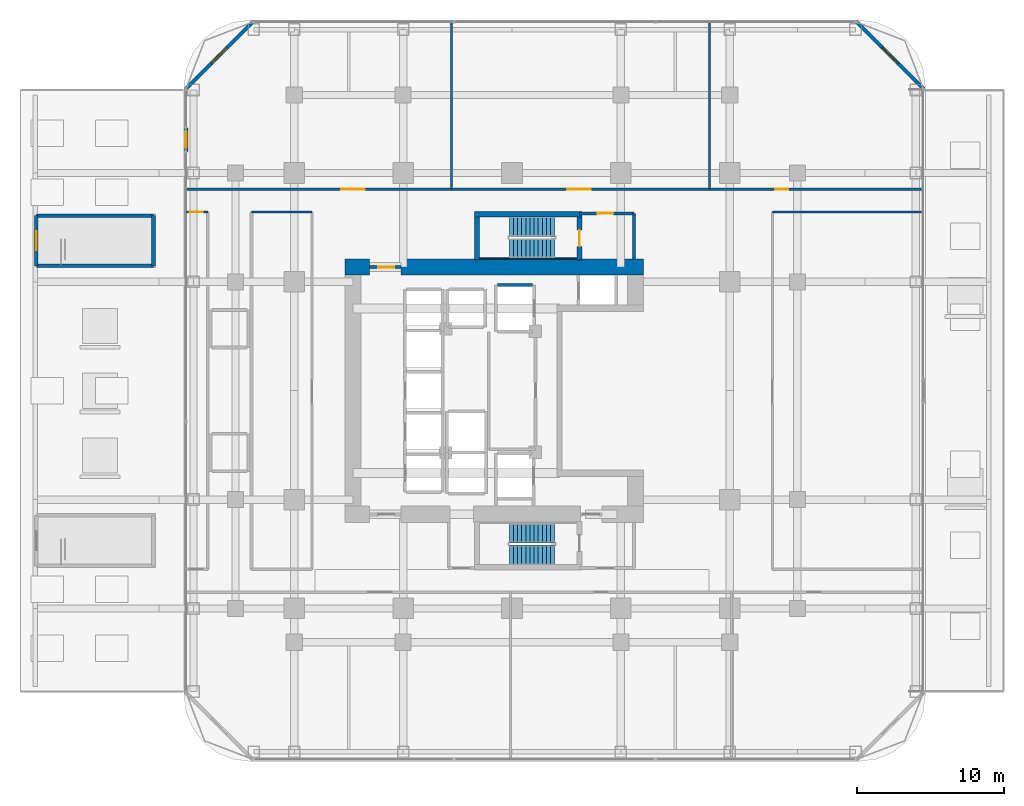
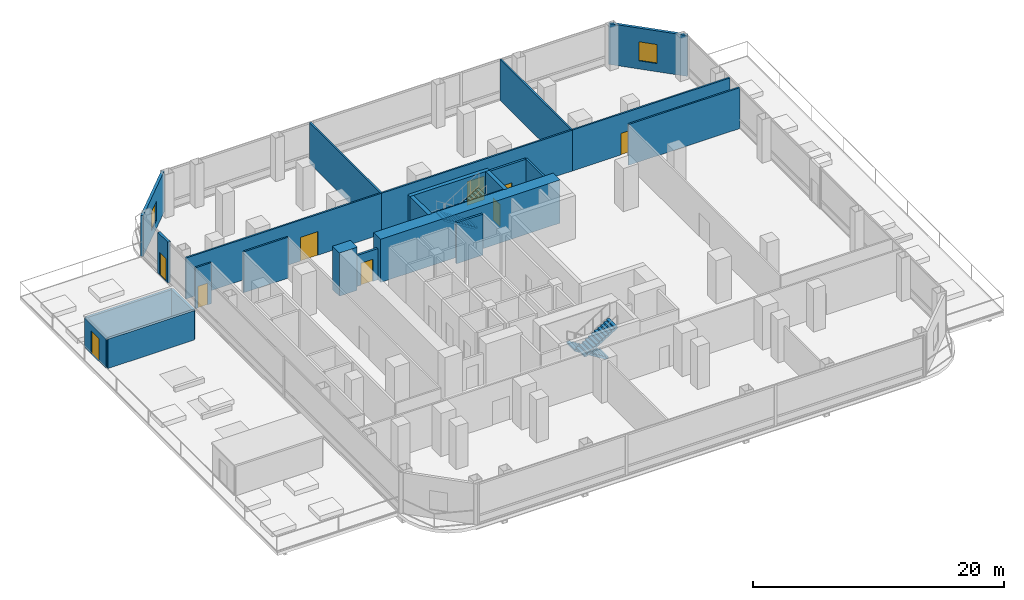
# One storey, part 25 of 29: 25 walls, 9 doors, 4 stair flights, 2 windows, 11 openings, 2 elements without a shape of their own.
"""IFC4 building model written with IfcOpenShell, lengths in metres."""

import ifcopenshell
import ifcopenshell.guid

model = None  # the IFC model being written
_history = None  # IfcOwnerHistory: only IFC2X3 demands one
_inside = {}  # id of a spatial element -> (the spatial element, [elements in it])
_under = {}  # id of a project, library or spatial element -> (it, [spatial elements below it])
_declared = {}  # id of a project -> (the project, [libraries it declares])
_typed = {}  # id of a type object -> (the type object, [elements of that type])
_made_of = {}  # id of a material, layer set ... -> (it, [elements and type objects made of it])


def new_model(schema):
    """Start an empty IFC model of exactly this schema.

    Asked for "IFC4X3", IfcOpenShell would pick the latest addendum, in which some entities
    have other attributes; the version numbers below select the first issue.
    IFC2X3 requires an IfcOwnerHistory on every rooted entity: one is made here for all.
    """
    global model, _history
    if schema == "IFC4X3":
        model = ifcopenshell.file(schema_version=(4, 3, 0, 0))
    else:
        model = ifcopenshell.file(schema=schema)
    _inside.clear()
    _under.clear()
    _declared.clear()
    _typed.clear()
    _made_of.clear()
    _history = None
    if model.schema == "IFC2X3":
        org = make("IfcOrganization", Name="unknown")
        user = make(
            "IfcPersonAndOrganization",
            ThePerson=make("IfcPerson", FamilyName="unknown"),
            TheOrganization=org,
        )
        app = make(
            "IfcApplication",
            ApplicationDeveloper=org,
            Version="unknown",
            ApplicationFullName="unknown",
            ApplicationIdentifier="unknown",
        )
        _history = make(
            "IfcOwnerHistory",
            OwningUser=user,
            OwningApplication=app,
            ChangeAction="ADDED",
            CreationDate=0,
        )
    return model


def make(cls, **values):
    """One entity of the class cls with the attributes given. An attribute that is None is left unset."""
    return model.create_entity(
        cls, **{name: value for name, value in values.items() if value is not None}
    )


def rooted(cls, **values):
    """An entity with a GlobalId (a new one), such as an element, a storey or a relation."""
    return make(cls, GlobalId=ifcopenshell.guid.new(), OwnerHistory=_history, **values)


def si_unit(unit_type, name, prefix=None):
    """IfcSIUnit, for example si_unit("LENGTHUNIT", "METRE", prefix="MILLI")."""
    return make("IfcSIUnit", UnitType=unit_type, Prefix=prefix, Name=name)


def assignment(units):
    """IfcUnitAssignment: the units of a project."""
    return None if units is None else make("IfcUnitAssignment", Units=units)


def point(xyz):
    """IfcCartesianPoint."""
    return None if xyz is None else make("IfcCartesianPoint", Coordinates=xyz)


def direction(xyz):
    """IfcDirection."""
    return None if xyz is None else make("IfcDirection", DirectionRatios=xyz)


def frame(location, z_axis=None, x_axis=None):
    """IfcAxis2Placement3D, a coordinate frame: its origin and axes. An axis left out is left unset."""
    return make(
        "IfcAxis2Placement3D",
        Location=point(location),
        Axis=direction(z_axis),
        RefDirection=direction(x_axis),
    )


def frame_2d(location, x_axis=None):
    """IfcAxis2Placement2D, a coordinate frame in the plane: its origin and x axis."""
    return make(
        "IfcAxis2Placement2D", Location=point(location), RefDirection=direction(x_axis)
    )


def origin():
    """The frame at (0, 0, 0) with its axes left unset."""
    return frame((0.0, 0.0, 0.0))


def place(relative_to, where):
    """IfcLocalPlacement: puts the frame where relative to a parent placement (None: the world)."""
    return make(
        "IfcLocalPlacement", PlacementRelTo=relative_to, RelativePlacement=where
    )


def context(
    kind, dimensions, precision=None, world=None, true_north=None, identifier=None
):
    """IfcGeometricRepresentationContext, for example the 3D "Model" context."""
    return make(
        "IfcGeometricRepresentationContext",
        ContextIdentifier=identifier,
        ContextType=kind,
        CoordinateSpaceDimension=dimensions,
        Precision=precision,
        WorldCoordinateSystem=world,
        TrueNorth=true_north,
    )


def subcontext(parent, identifier, kind, view, scale=None):
    """IfcGeometricRepresentationSubContext, for example "Body" below "Model"."""
    return make(
        "IfcGeometricRepresentationSubContext",
        ContextIdentifier=identifier,
        ContextType=kind,
        ParentContext=parent,
        TargetScale=scale,
        TargetView=view,
    )


def project(units=None, contexts=None):
    """IfcProject with its units and contexts."""
    return rooted(
        "IfcProject",
        Name="project",
        RepresentationContexts=contexts,
        UnitsInContext=assignment(units),
    )


def spatial(cls, under=None, at=None, **own):
    """A site, building, storey or space (cls), placed at a placement, below another one or the project."""
    s = rooted(cls, ObjectPlacement=at, **own)
    if under is not None:
        _under.setdefault(under.id(), (under, []))[1].append(s)
    return s


def polyline(points):
    """IfcPolyline through the points."""
    return make("IfcPolyline", Points=[point(p) for p in points])


def profile(cls, at=None, kind="AREA", **sizes):
    """A parametric profile (cls). Its sizes go by their IFC names, for example OverallWidth=200.0."""
    return make(cls, ProfileType=kind, Position=at, **sizes)


def rectangle(**sizes):
    """IfcRectangleProfileDef."""
    return profile("IfcRectangleProfileDef", **sizes)


def outline(outer, holes=None, kind="AREA"):
    """IfcArbitraryClosedProfileDef: a profile drawn as a closed curve; with holes, ...WithVoids."""
    if holes is None:
        return make("IfcArbitraryClosedProfileDef", ProfileType=kind, OuterCurve=outer)
    return make(
        "IfcArbitraryProfileDefWithVoids",
        ProfileType=kind,
        OuterCurve=outer,
        InnerCurves=holes,
    )


def extrude(swept, where, along, depth):
    """IfcExtrudedAreaSolid: the profile swept, set in the frame where, extruded along a direction by depth."""
    return make(
        "IfcExtrudedAreaSolid",
        SweptArea=swept,
        Position=where,
        ExtrudedDirection=direction(along),
        Depth=depth,
    )


def shape(context_of_items, identifier, shape_type, items):
    """IfcShapeRepresentation: the items that make up one representation, for example the "Body"."""
    return make(
        "IfcShapeRepresentation",
        ContextOfItems=context_of_items,
        RepresentationIdentifier=identifier,
        RepresentationType=shape_type,
        Items=items,
    )


def material(Name=None, Category=None):
    """IfcMaterial."""
    return make("IfcMaterial", Name=Name, Category=Category)


def layer(
    of_material, thickness, ventilated=None, Name=None, Category=None, Priority=None
):
    """IfcMaterialLayer: one layer of a wall or slab, of a material (None: an air gap)."""
    return make(
        "IfcMaterialLayer",
        Material=of_material,
        LayerThickness=thickness,
        IsVentilated=ventilated,
        Name=Name,
        Category=Category,
        Priority=Priority,
    )


def layer_set(layers, Name=None):
    """IfcMaterialLayerSet."""
    return make("IfcMaterialLayerSet", MaterialLayers=layers, LayerSetName=Name)


def made_of(thing, what):
    """Note that an element or type object is made of a material, layer set ...; save() writes the relation."""
    if what is not None:
        _made_of.setdefault(what.id(), (what, []))[1].append(thing)
    return thing


def type_object(cls, material=None, **own):
    """A type object (cls), such as IfcWallType, which elements share."""
    return made_of(rooted(cls, **own), material)


def element(
    cls,
    number,
    at=None,
    inside=None,
    cuts=None,
    type_object=None,
    material=None,
    context=None,
    identifier="Body",
    shape_type=None,
    held_by="IfcProductDefinitionShape",
    body=None,
    shapes=None,
    **own,
):
    """One element of the class cls, such as IfcWall. Its Tag is "e" and its number.

    at: its placement. inside: the storey or other place that contains it. cuts: it is an
    opening in that element (IfcRelVoidsElement). A single representation is given by context,
    identifier, shape_type and body (its items); several are given by shapes. held_by: the class
    of the entity that holds the representations. save() writes the other relations.
    """
    e = rooted(cls, Tag="e%d" % number, ObjectPlacement=at, **own)
    if body is not None:
        shapes = [shape(context, identifier, shape_type, body)]
    if shapes is not None:
        e.Representation = make(held_by, Representations=shapes)
    if inside is not None:
        _inside.setdefault(inside.id(), (inside, []))[1].append(e)
    if cuts is not None:
        rooted(
            "IfcRelVoidsElement", RelatingBuildingElement=cuts, RelatedOpeningElement=e
        )
    if type_object is not None:
        _typed.setdefault(type_object.id(), (type_object, []))[1].append(e)
    return made_of(e, material)


def fill(opening, filler):
    """IfcRelFillsElement: the door or window that sits in an opening."""
    return rooted(
        "IfcRelFillsElement",
        RelatingOpeningElement=opening,
        RelatedBuildingElement=filler,
    )


def aggregate(whole, parts):
    """IfcRelAggregates: a whole, such as a stair, and the parts it consists of."""
    return rooted("IfcRelAggregates", RelatingObject=whole, RelatedObjects=parts)


def save(model, path):
    """Write the relations noted so far, then the file.

    IfcRelAggregates (storeys below a building ...), IfcRelContainedInSpatialStructure (elements
    in a storey), IfcRelDefinesByType, IfcRelAssociatesMaterial and IfcRelDeclares: one each for
    every whole, place, type object, material and project.
    """
    for whole, parts in _under.values():
        aggregate(whole, parts)
    for where, things in _inside.values():
        rooted(
            "IfcRelContainedInSpatialStructure",
            RelatedElements=things,
            RelatingStructure=where,
        )
    for kind, things in _typed.values():
        rooted("IfcRelDefinesByType", RelatedObjects=things, RelatingType=kind)
    for what, things in _made_of.values():
        rooted("IfcRelAssociatesMaterial", RelatedObjects=things, RelatingMaterial=what)
    for by, libraries in _declared.values():
        rooted("IfcRelDeclares", RelatingContext=by, RelatedDefinitions=libraries)
    model.write(path)


model = new_model("IFC4")

# Units and contexts
model_context = context("Model", 3, precision=1e-05, world=origin(), true_north=direction((0.0, 1.0)))
body_context = subcontext(model_context, "Body", "Model", "MODEL_VIEW")
ifc_project = project(units=[si_unit("LENGTHUNIT", "METRE"), si_unit("AREAUNIT", "SQUARE_METRE"), si_unit("VOLUMEUNIT", "CUBIC_METRE"), si_unit("PLANEANGLEUNIT", "RADIAN"), si_unit("MASSUNIT", "GRAM", prefix="KILO")], contexts=[model_context])

# Site, building, storey
site_placement = place(None, origin())
site = spatial("IfcSite", under=ifc_project, at=site_placement, CompositionType="ELEMENT")
building_placement = place(site_placement, origin())
building = spatial("IfcBuilding", under=site, at=building_placement, Name="Khorvyn Point Tower", CompositionType="ELEMENT")
storey_placement = place(building_placement, frame((0.0, 0.0, 26.39990234375)))
storey = spatial("IfcBuildingStorey", under=building, at=storey_placement, Name="L07", CompositionType="ELEMENT", Elevation=26.39990234375)

# Wall, opening, door
ifc_material_1 = material(Name="Pale anodised aluminium rainscreen on steel stud", Category="steel")
ifc_layer_1 = layer(ifc_material_1, 0.239990234375)
ifc_layer_set_1 = layer_set([ifc_layer_1], Name="Anodised Aluminium Insulated Corner Spandrel Wall 240")
wall_type_1 = type_object("IfcWallType", Name="Anodised Aluminium Insulated Corner Spandrel Wall 240", PredefinedType="SOLIDWALL", material=ifc_layer_set_1)
wall_1_placement = place(storey_placement, frame((-22.14990234375, 16.27001953125, 0.0), z_axis=(0.0, 0.0, 1.0), x_axis=(0.0, 1.0, 0.0)))
wall_1 = element("IfcWall", 1, at=wall_1_placement, inside=storey, type_object=wall_type_1, Name="L07 West Outdoor Threshold Wall", PredefinedType="SOLIDWALL", context=body_context, shape_type="SweptSolid", body=[
    extrude(rectangle(XDim=1.580078125, YDim=0.239990234375, at=frame_2d((0.7900390625, 0.0))), origin(), (0.0, 0.0, 1.0), 3.97998046875),
])
opening_1_placement = place(wall_1_placement, frame((0.239990234375, 0.0, 0.0)))
opening_1 = element("IfcOpeningElement", 2, at=opening_1_placement, cuts=wall_1, Name="Opening BD-1122", PredefinedType="OPENING", context=body_context, shape_type="SweptSolid", body=[
    extrude(rectangle(XDim=1.10009765625, YDim=2.199951171875, at=frame_2d((0.550048828125, 1.10009765625))), frame((0.0, 0.1298828125, 0.0), z_axis=(0.0, -1.0, 0.0), x_axis=(1.0, 0.0, 0.0)), (0.0, 0.0, 1.0), 0.260009765625),
])
ifc_material_2 = material(Name="Anodised aluminium 6063-T6 and laminated Low-E glass", Category="aluminium")
door_type_1 = type_object("IfcDoorType", Name="Glazed Balcony and Terrace Threshold Door 1100x2200", OperationType="NOTDEFINED", PredefinedType="DOOR", material=ifc_material_2)
door_1_placement = place(opening_1_placement, origin())
door_1 = element("IfcDoor", 3, at=door_1_placement, inside=storey, type_object=door_type_1, Name="L07 West Terrace Outdoor Door", OperationType="SINGLE_SWING_RIGHT", OverallHeight=2.199951171875, OverallWidth=1.10009765625, PredefinedType="DOOR", context=body_context, shape_type="SweptSolid", body=[
    extrude(rectangle(XDim=1.10009765625, YDim=2.199951171875, at=frame_2d((0.550048828125, 1.10009765625))), frame((0.0, 0.02490234375, 0.0), z_axis=(0.0, -1.0, 0.0), x_axis=(1.0, 0.0, 0.0)), (0.0, 0.0, 1.0), 0.050048828125),
])
fill(opening_1, door_1)

# Wall, opening, window
wall_2_placement = place(storey_placement, frame((-22.1923828125, 20.507568359375, 0.0), z_axis=(0.0, 0.0, 1.0), x_axis=(0.707106781187, 0.707106781187, 0.0)))
wall_2 = element("IfcWall", 4, at=wall_2_placement, inside=storey, type_object=wall_type_1, Name="L07 Rounded Corner Wall NW", PredefinedType="SOLIDWALL", context=body_context, shape_type="SweptSolid", body=[
    extrude(rectangle(XDim=6.48388671875, YDim=0.239990234375, at=frame_2d((3.241943359375, 0.0))), origin(), (0.0, 0.0, 1.0), 3.97998046875),
])
opening_2_placement = place(wall_2_placement, frame((2.491943359375, 0.0, 0.800048828125)))
opening_2 = element("IfcOpeningElement", 5, at=opening_2_placement, cuts=wall_2, Name="Opening WN-1518", PredefinedType="OPENING", context=body_context, shape_type="SweptSolid", body=[
    extrude(rectangle(XDim=1.5, YDim=1.85009765625, at=frame_2d((0.75, 0.925048828125))), frame((0.0, 0.1298828125, 0.0), z_axis=(0.0, -1.0, 0.0), x_axis=(1.0, 0.0, 0.0)), (0.0, 0.0, 1.0), 0.260009765625),
])
window_type = type_object("IfcWindowType", Name="Anodised Aluminium Rounded-Corner Panoramic Window 1500x1850", PartitioningType="SINGLE_PANEL", PredefinedType="WINDOW", material=ifc_material_2)
window_1_placement = place(opening_2_placement, origin())
window_1 = element("IfcWindow", 6, at=window_1_placement, inside=storey, type_object=window_type, Name="L07 Corner Panoramic Window NW", OverallHeight=1.85009765625, OverallWidth=1.5, PartitioningType="SINGLE_PANEL", PredefinedType="WINDOW", context=body_context, shape_type="SweptSolid", body=[
    extrude(rectangle(XDim=1.5, YDim=1.85009765625, at=frame_2d((0.75, 0.925048828125))), frame((0.0, 0.030029296875, 0.0), z_axis=(0.0, -1.0, 0.0), x_axis=(1.0, 0.0, 0.0)), (0.0, 0.0, 1.0), 0.06005859375),
])
fill(opening_2, window_1)

wall_3_placement = place(storey_placement, frame((23.40771484375, 25.09228515625, 0.0), z_axis=(0.0, 0.0, 1.0), x_axis=(0.707106781187, -0.707106781187, 0.0)))
wall_3 = element("IfcWall", 7, at=wall_3_placement, inside=storey, type_object=wall_type_1, Name="L07 Rounded Corner Wall NE", PredefinedType="SOLIDWALL", context=body_context, shape_type="SweptSolid", body=[
    extrude(rectangle(XDim=6.48388671875, YDim=0.239990234375, at=frame_2d((3.241943359375, 0.0))), origin(), (0.0, 0.0, 1.0), 3.97998046875),
])
opening_3_placement = place(wall_3_placement, frame((2.491943359375, 0.0, 0.800048828125)))
opening_3 = element("IfcOpeningElement", 8, at=opening_3_placement, cuts=wall_3, Name="Opening WN-1518", PredefinedType="OPENING", context=body_context, shape_type="SweptSolid", body=[
    extrude(rectangle(XDim=1.5, YDim=1.85009765625, at=frame_2d((0.75, 0.925048828125))), frame((0.0, 0.1298828125, 0.0), z_axis=(0.0, -1.0, 0.0), x_axis=(1.0, 0.0, 0.0)), (0.0, 0.0, 1.0), 0.260009765625),
])
window_2_placement = place(opening_3_placement, origin())
window_2 = element("IfcWindow", 9, at=window_2_placement, inside=storey, type_object=window_type, Name="L07 Corner Panoramic Window NE", OverallHeight=1.85009765625, OverallWidth=1.5, PartitioningType="SINGLE_PANEL", PredefinedType="WINDOW", context=body_context, shape_type="SweptSolid", body=[
    extrude(rectangle(XDim=1.5, YDim=1.85009765625, at=frame_2d((0.75, 0.925048828125))), frame((0.0, 0.030029296875, 0.0), z_axis=(0.0, -1.0, 0.0), x_axis=(1.0, 0.0, 0.0)), (0.0, 0.0, 1.0), 0.06005859375),
])
fill(opening_3, window_2)

# Wall, opening, door
ifc_material_3 = material(Name="Concrete C40/50", Category="concrete")
ifc_layer_2 = layer(ifc_material_3, 0.199951171875)
ifc_layer_set_2 = layer_set([ifc_layer_2], Name="Concrete C40/50 Fire-Lobby Compartment Wall 200")
wall_type_2 = type_object("IfcWallType", Name="Concrete C40/50 Fire-Lobby Compartment Wall 200", PredefinedType="SOLIDWALL", material=ifc_layer_set_2)
wall_4_placement = place(storey_placement, frame((4.580078125, 12.06005859375, 0.0), z_axis=(0.0, 0.0, 1.0), x_axis=(1.0, 0.0, 0.0)))
wall_4 = element("IfcWall", 10, at=wall_4_placement, inside=storey, type_object=wall_type_2, Name="Wall", PredefinedType="SOLIDWALL", context=body_context, shape_type="SweptSolid", body=[
    extrude(rectangle(XDim=3.699951171875, YDim=0.199951171875, at=frame_2d((1.85009765625, 0.0))), origin(), (0.0, 0.0, 1.0), 3.97998046875),
])
opening_4_placement = place(wall_4_placement, frame((1.21240234375, 0.0, 0.0)))
opening_4 = element("IfcOpeningElement", 11, at=opening_4_placement, cuts=wall_4, Name="Opening ID-FL90", PredefinedType="OPENING", context=body_context, shape_type="SweptSolid", body=[
    extrude(rectangle(XDim=1.10009765625, YDim=2.14990234375, at=frame_2d((0.550048828125, 1.074951171875))), frame((0.0, 0.10986328125, 0.0), z_axis=(0.0, -1.0, 0.0), x_axis=(1.0, 0.0, 0.0)), (0.0, 0.0, 1.0), 0.219970703125),
])
ifc_material_4 = material(Name="Galvanised powder-coated steel", Category="steel")
door_type_2 = type_object("IfcDoorType", Name="Fire-Rated Steel Lobby and Stair Door 1100x2150", OperationType="NOTDEFINED", PredefinedType="DOOR", material=ifc_material_4)
door_2_placement = place(opening_4_placement, origin())
door_2 = element("IfcDoor", 12, at=door_2_placement, inside=storey, type_object=door_type_2, Name="Door", OperationType="SINGLE_SWING_LEFT", OverallHeight=2.14990234375, OverallWidth=1.10009765625, PredefinedType="DOOR", context=body_context, shape_type="SweptSolid", body=[
    extrude(rectangle(XDim=1.10009765625, YDim=2.14990234375, at=frame_2d((0.550048828125, 1.074951171875))), frame((0.0, 0.02490234375, 0.0), z_axis=(0.0, -1.0, 0.0), x_axis=(1.0, 0.0, 0.0)), (0.0, 0.0, 1.0), 0.050048828125),
])
fill(opening_4, door_2)

wall_5_placement = place(storey_placement, frame((-9.699951171875, 8.39990234375, 0.0), z_axis=(0.0, 0.0, 1.0), x_axis=(1.0, 0.0, 0.0)))
wall_5 = element("IfcWall", 13, at=wall_5_placement, inside=storey, type_object=wall_type_2, Name="Wall", PredefinedType="SOLIDWALL", context=body_context, shape_type="SweptSolid", body=[
    extrude(rectangle(XDim=2.14990234375, YDim=0.199951171875, at=frame_2d((1.074951171875, 0.0))), origin(), (0.0, 0.0, 1.0), 3.02001953125),
])
opening_5_placement = place(wall_5_placement, frame((0.597900390625, 0.0, 0.0)))
opening_5 = element("IfcOpeningElement", 14, at=opening_5_placement, cuts=wall_5, Name="Opening ID-FL90", PredefinedType="OPENING", context=body_context, shape_type="SweptSolid", body=[
    extrude(rectangle(XDim=1.10009765625, YDim=2.14990234375, at=frame_2d((0.550048828125, 1.074951171875))), frame((0.0, 0.10986328125, 0.0), z_axis=(0.0, -1.0, 0.0), x_axis=(1.0, 0.0, 0.0)), (0.0, 0.0, 1.0), 0.219970703125),
])
door_3_placement = place(opening_5_placement, origin())
door_3 = element("IfcDoor", 15, at=door_3_placement, inside=storey, type_object=door_type_2, Name="Door", OperationType="SINGLE_SWING_LEFT", OverallHeight=2.14990234375, OverallWidth=1.10009765625, PredefinedType="DOOR", context=body_context, shape_type="SweptSolid", body=[
    extrude(rectangle(XDim=1.10009765625, YDim=2.14990234375, at=frame_2d((0.550048828125, 1.074951171875))), frame((0.0, 0.02490234375, 0.0), z_axis=(0.0, -1.0, 0.0), x_axis=(1.0, 0.0, 0.0)), (0.0, 0.0, 1.0), 0.050048828125),
])
fill(opening_5, door_3)

# Walls
wall_6_placement = place(storey_placement, frame((8.280029296875, 8.949951171875, 0.0), z_axis=(0.0, 0.0, 1.0), x_axis=(0.0, 1.0, 0.0)))
element("IfcWall", 16, at=wall_6_placement, inside=storey, type_object=wall_type_2, Name="Wall", PredefinedType="SOLIDWALL", context=body_context, shape_type="SweptSolid", body=[
    extrude(rectangle(XDim=3.110107421875, YDim=0.199951171875, at=frame_2d((1.55517578125, 0.0))), origin(), (0.0, 0.0, 1.0), 3.97998046875),
])
ifc_layer_3 = layer(ifc_material_3, 0.25)
ifc_layer_set_3 = layer_set([ifc_layer_3], Name="Concrete C40/50 Stair Inner Cheek Structural Wall 250")
wall_type_3 = type_object("IfcWallType", Name="Concrete C40/50 Stair Inner Cheek Structural Wall 250", PredefinedType="SHEAR", material=ifc_layer_set_3)
wall_7_placement = place(storey_placement, frame((-2.199951171875, 8.987548828125, 0.0), z_axis=(0.0, 0.0, 1.0), x_axis=(1.0, 0.0, 0.0)))
element("IfcWall", 17, at=wall_7_placement, inside=storey, type_object=wall_type_3, Name="Wall", PredefinedType="SHEAR", context=body_context, shape_type="SweptSolid", body=[
    extrude(rectangle(XDim=6.599853515625, YDim=0.074951171875, at=frame_2d((3.2998046875, 0.0))), origin(), (0.0, 0.0, 1.0), 4.2001953125),
])
ifc_layer_4 = layer(ifc_material_3, 0.35009765625)
ifc_layer_set_4 = layer_set([ifc_layer_4], Name="Concrete C40/50 Stair Shaft Structural Wall 350")
wall_type_4 = type_object("IfcWallType", Name="Concrete C40/50 Stair Shaft Structural Wall 350", PredefinedType="SHEAR", material=ifc_layer_set_4)
wall_8_placement = place(storey_placement, frame((-2.554931640625, 12.0, 0.0), z_axis=(0.0, 0.0, 1.0), x_axis=(1.0, 0.0, 0.0)))
element("IfcWall", 18, at=wall_8_placement, inside=storey, type_object=wall_type_4, Name="L07 ST-02 North Shaft Wall", PredefinedType="SHEAR", context=body_context, shape_type="SweptSolid", body=[
    extrude(rectangle(XDim=7.309814453125, YDim=0.35009765625, at=frame_2d((3.65478515625, 0.0))), origin(), (0.0, 0.0, 1.0), 4.2001953125),
])
wall_9_placement = place(storey_placement, frame((-2.3798828125, 8.89990234375, 0.0), z_axis=(0.0, 0.0, 1.0), x_axis=(0.0, 1.0, 0.0)))
element("IfcWall", 19, at=wall_9_placement, inside=storey, type_object=wall_type_4, Name="L07 ST-02 West Shaft Wall", PredefinedType="SHEAR", context=body_context, shape_type="SweptSolid", body=[
    extrude(rectangle(XDim=2.925048828125, YDim=0.35009765625, at=frame_2d((1.46240234375, 0.0))), origin(), (0.0, 0.0, 1.0), 4.2001953125),
])

# Wall, opening, door
wall_10_placement = place(storey_placement, frame((4.580078125, 11.824951171875, 0.0), z_axis=(0.0, 0.0, 1.0), x_axis=(0.0, -1.0, 0.0)))
wall_10 = element("IfcWall", 20, at=wall_10_placement, inside=storey, type_object=wall_type_4, Name="L07 ST-02 East Landing Door Wall", PredefinedType="SHEAR", context=body_context, shape_type="SweptSolid", body=[
    extrude(rectangle(XDim=2.925048828125, YDim=0.35009765625, at=frame_2d((1.46240234375, 0.0))), origin(), (0.0, 0.0, 1.0), 4.2001953125),
])
opening_6_placement = place(wall_10_placement, frame((0.91259765625, 0.0, 0.0)))
opening_6 = element("IfcOpeningElement", 21, at=opening_6_placement, cuts=wall_10, Name="Opening ID-FL90", PredefinedType="OPENING", context=body_context, shape_type="SweptSolid", body=[
    extrude(rectangle(XDim=1.10009765625, YDim=2.14990234375, at=frame_2d((0.550048828125, 1.074951171875))), frame((0.0, 0.18505859375, 0.0), z_axis=(0.0, -1.0, 0.0), x_axis=(1.0, 0.0, 0.0)), (0.0, 0.0, 1.0), 0.3701171875),
])
door_4_placement = place(opening_6_placement, origin())
door_4 = element("IfcDoor", 22, at=door_4_placement, inside=storey, type_object=door_type_2, Name="L07 ST-02 Smokeproof Landing Door", OperationType="SINGLE_SWING_RIGHT", OverallHeight=2.14990234375, OverallWidth=1.10009765625, PredefinedType="DOOR", context=body_context, shape_type="SweptSolid", body=[
    extrude(rectangle(XDim=1.10009765625, YDim=2.14990234375, at=frame_2d((0.550048828125, 1.074951171875))), frame((0.0, 0.02490234375, 0.0), z_axis=(0.0, -1.0, 0.0), x_axis=(1.0, 0.0, 0.0)), (0.0, 0.0, 1.0), 0.050048828125),
])
fill(opening_6, door_4)

ifc_layer_5 = layer(ifc_material_3, 0.239990234375)
ifc_layer_set_5 = layer_set([ifc_layer_5], Name="Concrete C40/50 Structural Headhouse Wall 240")
wall_type_5 = type_object("IfcWallType", Name="Concrete C40/50 Structural Headhouse Wall 240", PredefinedType="SOLIDWALL", material=ifc_layer_set_5)
wall_11_placement = place(storey_placement, frame((-32.330078125, 8.47998046875, 0.0), z_axis=(0.0, 0.0, 1.0), x_axis=(0.0, 1.0, 0.0)))
wall_11 = element("IfcWall", 23, at=wall_11_placement, inside=storey, type_object=wall_type_5, Name="L07 STS2 Headhouse West Door Wall", PredefinedType="SOLIDWALL", context=body_context, shape_type="SweptSolid", body=[
    extrude(rectangle(XDim=3.419921875, YDim=0.239990234375, at=frame_2d((1.7099609375, 0.0))), origin(), (0.0, 0.0, 1.0), 2.85009765625),
])
opening_7_placement = place(wall_11_placement, frame((1.06005859375, 0.0, 0.0)))
opening_7 = element("IfcOpeningElement", 24, at=opening_7_placement, cuts=wall_11, Name="Opening ED-1322", PredefinedType="OPENING", context=body_context, shape_type="SweptSolid", body=[
    extrude(rectangle(XDim=1.300048828125, YDim=2.199951171875, at=frame_2d((0.64990234375, 1.10009765625))), frame((0.0, 0.1298828125, 0.0), z_axis=(0.0, -1.0, 0.0), x_axis=(1.0, 0.0, 0.0)), (0.0, 0.0, 1.0), 0.260009765625),
])
door_type_3 = type_object("IfcDoorType", Name="Fire-Exit Steel Discharge Swing Door 1300x2200", OperationType="NOTDEFINED", PredefinedType="DOOR", material=ifc_material_4)
door_5_placement = place(opening_7_placement, origin())
door_5 = element("IfcDoor", 25, at=door_5_placement, inside=storey, type_object=door_type_3, Name="L07 STS2 Garden Exit Door", OperationType="SINGLE_SWING_RIGHT", OverallHeight=2.199951171875, OverallWidth=1.300048828125, PredefinedType="DOOR", context=body_context, shape_type="SweptSolid", body=[
    extrude(rectangle(XDim=1.300048828125, YDim=2.199951171875, at=frame_2d((0.64990234375, 1.10009765625))), frame((0.0, 0.02490234375, 0.0), z_axis=(0.0, -1.0, 0.0), x_axis=(1.0, 0.0, 0.0)), (0.0, 0.0, 1.0), 0.050048828125),
])
fill(opening_7, door_5)

# Walls
wall_12_placement = place(storey_placement, frame((-24.3701171875, 11.89990234375, 0.0), z_axis=(0.0, 0.0, 1.0), x_axis=(0.0, -1.0, 0.0)))
element("IfcWall", 26, at=wall_12_placement, inside=storey, type_object=wall_type_5, Name="L07 STS2 Headhouse East Wall", PredefinedType="SOLIDWALL", context=body_context, shape_type="SweptSolid", body=[
    extrude(rectangle(XDim=3.419921875, YDim=0.239990234375, at=frame_2d((1.7099609375, 0.0))), origin(), (0.0, 0.0, 1.0), 2.85009765625),
])
for number, where, z_axis, x_axis, name in (
    (27, (-24.3701171875, 8.47998046875, 0.0), (0.0, 0.0, 1.0), (-1.0, 0.0, 0.0), "L07 STS2 Headhouse South Wall"),
    (28, (-32.330078125, 11.89990234375, 0.0), (0.0, 0.0, 1.0), (1.0, 0.0, 0.0), "L07 STS2 Headhouse North Wall"),
):
    element("IfcWall", number, at=place(storey_placement, frame(where, z_axis=z_axis, x_axis=x_axis)), inside=storey, type_object=wall_type_5, Name=name, PredefinedType="SOLIDWALL", context=body_context, shape_type="SweptSolid", body=[
        extrude(rectangle(XDim=7.9599609375, YDim=0.239990234375, at=frame_2d((3.97998046875, 0.0))), origin(), (0.0, 0.0, 1.0), 2.85009765625),
    ])
ifc_layer_6 = layer(ifc_material_3, 0.199951171875)
ifc_layer_set_6 = layer_set([ifc_layer_6], Name="Concrete C40/50 Structural Hoistway and Stair Shaft Wall 200")
wall_type_6 = type_object("IfcWallType", Name="Concrete C40/50 Structural Hoistway and Stair Shaft Wall 200", PredefinedType="SHEAR", material=ifc_layer_set_6)
wall_13_placement = place(storey_placement, frame((-1.0, 7.175048828125, 0.0), z_axis=(0.0, 0.0, 1.0), x_axis=(1.0, 0.0, 0.0)))
element("IfcWall", 29, at=wall_13_placement, inside=storey, type_object=wall_type_6, Name="Wall", PredefinedType="SHEAR", context=body_context, shape_type="SweptSolid", body=[
    extrude(rectangle(XDim=2.39990234375, YDim=0.199951171875, at=frame_2d((1.199951171875, 0.0))), origin(), (0.0, 0.0, 1.0), 3.97998046875),
])
ifc_material_5 = material(Name="Concrete C50/60", Category="concrete")
ifc_layer_7 = layer(ifc_material_5, 1.10009765625)
ifc_layer_set_7 = layer_set([ifc_layer_7], Name="Concrete C50/60 Core Shear Wall 1100")
wall_type_7 = type_object("IfcWallType", Name="Concrete C50/60 Core Shear Wall 1100", PredefinedType="SHEAR", material=ifc_layer_set_7)
wall_14_placement = place(storey_placement, frame((-11.35009765625, 8.39990234375, 0.0), z_axis=(0.0, 0.0, 1.0), x_axis=(1.0, 0.0, 0.0)))
element("IfcWall", 30, at=wall_14_placement, inside=storey, type_object=wall_type_7, Name="Wall", PredefinedType="SHEAR", context=body_context, shape_type="SweptSolid", body=[
    extrude(rectangle(XDim=1.650146484375, YDim=1.10009765625, at=frame_2d((0.8251953125, 0.0))), origin(), (0.0, 0.0, 1.0), 4.2001953125),
])
wall_15_placement = place(storey_placement, frame((-7.550048828125, 8.39990234375, 0.0), z_axis=(0.0, 0.0, 1.0), x_axis=(1.0, 0.0, 0.0)))
element("IfcWall", 31, at=wall_15_placement, inside=storey, type_object=wall_type_7, Name="Wall", PredefinedType="SHEAR", context=body_context, shape_type="SweptSolid", body=[
    extrude(rectangle(XDim=16.5, YDim=1.10009765625, at=frame_2d((8.25, 0.0))), origin(), (0.0, 0.0, 1.0), 4.2001953125),
])

# Wall, opening, door
ifc_material_6 = material(Name="Moisture-resistant gypsum and cement board", Category="gypsum")
ifc_layer_8 = layer(ifc_material_6, 0.14990234375)
ifc_layer_set_8 = layer_set([ifc_layer_8], Name="Moisture-Resistant Wet-Room Partition Wall 150")
wall_type_8 = type_object("IfcWallType", Name="Moisture-Resistant Wet-Room Partition Wall 150", PredefinedType="PARTITIONING", material=ifc_layer_set_8)
wall_16_placement = place(storey_placement, frame((-22.1298828125, 13.699951171875, 0.0), z_axis=(0.0, 0.0, 1.0), x_axis=(1.0, 0.0, 0.0)))
wall_16 = element("IfcWall", 32, at=wall_16_placement, inside=storey, type_object=wall_type_8, Name="Wall", PredefinedType="PARTITIONING", context=body_context, shape_type="SweptSolid", body=[
    extrude(rectangle(XDim=18.018798828125, YDim=0.14990234375, at=frame_2d((9.00927734375, 0.0))), origin(), (0.0, 0.0, 1.0), 3.97998046875),
])
opening_8_placement = place(wall_16_placement, frame((10.534912109375, 0.0, 0.0)))
opening_8 = element("IfcOpeningElement", 33, at=opening_8_placement, cuts=wall_16, Name="Opening ID-LB30", PredefinedType="OPENING", context=body_context, shape_type="SweptSolid", body=[
    extrude(rectangle(XDim=1.60009765625, YDim=2.300048828125, at=frame_2d((0.800048828125, 1.14990234375))), frame((0.0, 0.0849609375, 0.0), z_axis=(0.0, -1.0, 0.0), x_axis=(1.0, 0.0, 0.0)), (0.0, 0.0, 1.0), 0.169921875),
])
ifc_material_7 = material(Name="Anodised aluminium 6063-T6 and tempered glass", Category="aluminium")
door_type_4 = type_object("IfcDoorType", Name="Glazed Aluminium Sky-Lobby Double Swing Door 1600x2300", OperationType="DOUBLE_DOOR_SINGLE_SWING", PredefinedType="DOOR", material=ifc_material_7)
door_6_placement = place(opening_8_placement, origin())
door_6 = element("IfcDoor", 34, at=door_6_placement, inside=storey, type_object=door_type_4, Name="Door", OperationType="SINGLE_SWING_LEFT", OverallHeight=2.300048828125, OverallWidth=1.60009765625, PredefinedType="DOOR", context=body_context, shape_type="SweptSolid", body=[
    extrude(rectangle(XDim=1.60009765625, YDim=2.300048828125, at=frame_2d((0.800048828125, 1.14990234375))), frame((0.0, 0.02490234375, 0.0), z_axis=(0.0, -1.0, 0.0), x_axis=(1.0, 0.0, 0.0)), (0.0, 0.0, 1.0), 0.050048828125),
])
fill(opening_8, door_6)

wall_17_placement = place(storey_placement, frame((-4.111083984375, 13.699951171875, 0.0), z_axis=(0.0, 0.0, 1.0), x_axis=(1.0, 0.0, 0.0)))
wall_17 = element("IfcWall", 35, at=wall_17_placement, inside=storey, type_object=wall_type_8, Name="Wall", PredefinedType="PARTITIONING", context=body_context, shape_type="SweptSolid", body=[
    extrude(rectangle(XDim=17.528076171875, YDim=0.14990234375, at=frame_2d((8.76416015625, 0.0))), origin(), (0.0, 0.0, 1.0), 3.97998046875),
])
opening_9_placement = place(wall_17_placement, frame((7.874267578125, 0.0, 0.0)))
opening_9 = element("IfcOpeningElement", 36, at=opening_9_placement, cuts=wall_17, Name="Opening ID-LB30", PredefinedType="OPENING", context=body_context, shape_type="SweptSolid", body=[
    extrude(rectangle(XDim=1.60009765625, YDim=2.300048828125, at=frame_2d((0.800048828125, 1.14990234375))), frame((0.0, 0.0849609375, 0.0), z_axis=(0.0, -1.0, 0.0), x_axis=(1.0, 0.0, 0.0)), (0.0, 0.0, 1.0), 0.169921875),
])
door_7_placement = place(opening_9_placement, origin())
door_7 = element("IfcDoor", 37, at=door_7_placement, inside=storey, type_object=door_type_4, Name="Door", OperationType="SINGLE_SWING_LEFT", OverallHeight=2.300048828125, OverallWidth=1.60009765625, PredefinedType="DOOR", context=body_context, shape_type="SweptSolid", body=[
    extrude(rectangle(XDim=1.60009765625, YDim=2.300048828125, at=frame_2d((0.800048828125, 1.14990234375))), frame((0.0, 0.02490234375, 0.0), z_axis=(0.0, -1.0, 0.0), x_axis=(1.0, 0.0, 0.0)), (0.0, 0.0, 1.0), 0.050048828125),
])
fill(opening_9, door_7)

wall_18_placement = place(storey_placement, frame((13.4169921875, 13.699951171875, 0.0), z_axis=(0.0, 0.0, 1.0), x_axis=(1.0, 0.0, 0.0)))
wall_18 = element("IfcWall", 38, at=wall_18_placement, inside=storey, type_object=wall_type_8, Name="Wall", PredefinedType="PARTITIONING", context=body_context, shape_type="SweptSolid", body=[
    extrude(rectangle(XDim=14.512939453125, YDim=0.14990234375, at=frame_2d((7.25634765625, 0.0))), origin(), (0.0, 0.0, 1.0), 3.97998046875),
])
opening_10_placement = place(wall_18_placement, frame((4.47119140625, 0.0, 0.0)))
opening_10 = element("IfcOpeningElement", 39, at=opening_10_placement, cuts=wall_18, Name="Opening ID-RM90", PredefinedType="OPENING", context=body_context, shape_type="SweptSolid", body=[
    extrude(rectangle(XDim=0.89990234375, YDim=2.10009765625, at=frame_2d((0.449951171875, 1.050048828125))), frame((0.0, 0.0849609375, 0.0), z_axis=(0.0, -1.0, 0.0), x_axis=(1.0, 0.0, 0.0)), (0.0, 0.0, 1.0), 0.169921875),
])
ifc_material_8 = material(Name="Engineered oak veneer timber", Category="wood")
door_type_5 = type_object("IfcDoorType", Name="Flush Engineered Timber Room Door 900x2100", OperationType="NOTDEFINED", PredefinedType="DOOR", material=ifc_material_8)
door_8_placement = place(opening_10_placement, origin())
door_8 = element("IfcDoor", 40, at=door_8_placement, inside=storey, type_object=door_type_5, Name="Door", OperationType="SINGLE_SWING_RIGHT", OverallHeight=2.10009765625, OverallWidth=0.89990234375, PredefinedType="DOOR", context=body_context, shape_type="SweptSolid", body=[
    extrude(rectangle(XDim=0.89990234375, YDim=2.10009765625, at=frame_2d((0.449951171875, 1.050048828125))), frame((0.0, 0.02490234375, 0.0), z_axis=(0.0, -1.0, 0.0), x_axis=(1.0, 0.0, 0.0)), (0.0, 0.0, 1.0), 0.050048828125),
])
fill(opening_10, door_8)

wall_19_placement = place(storey_placement, frame((-22.1298828125, 12.139892578125, 0.0), z_axis=(0.0, 0.0, 1.0), x_axis=(1.0, 0.0, 0.0)))
wall_19 = element("IfcWall", 41, at=wall_19_placement, inside=storey, type_object=wall_type_8, Name="Wall", PredefinedType="PARTITIONING", context=body_context, shape_type="SweptSolid", body=[
    extrude(rectangle(XDim=1.449951171875, YDim=0.14990234375, at=frame_2d((0.72509765625, 0.0))), origin(), (0.0, 0.0, 1.0), 3.97998046875),
])
opening_11_placement = place(wall_19_placement, frame((0.217529296875, 0.0, 0.0)))
opening_11 = element("IfcOpeningElement", 42, at=opening_11_placement, cuts=wall_19, Name="Opening ID-RM90", PredefinedType="OPENING", context=body_context, shape_type="SweptSolid", body=[
    extrude(rectangle(XDim=0.89990234375, YDim=2.10009765625, at=frame_2d((0.449951171875, 1.050048828125))), frame((0.0, 0.0849609375, 0.0), z_axis=(0.0, -1.0, 0.0), x_axis=(1.0, 0.0, 0.0)), (0.0, 0.0, 1.0), 0.169921875),
])
door_9_placement = place(opening_11_placement, origin())
door_9 = element("IfcDoor", 43, at=door_9_placement, inside=storey, type_object=door_type_5, Name="Door", OperationType="SINGLE_SWING_RIGHT", OverallHeight=2.10009765625, OverallWidth=0.89990234375, PredefinedType="DOOR", context=body_context, shape_type="SweptSolid", body=[
    extrude(rectangle(XDim=0.89990234375, YDim=2.10009765625, at=frame_2d((0.449951171875, 1.050048828125))), frame((0.0, 0.02490234375, 0.0), z_axis=(0.0, -1.0, 0.0), x_axis=(1.0, 0.0, 0.0)), (0.0, 0.0, 1.0), 0.050048828125),
])
fill(opening_11, door_9)

# Walls
for number, where, z_axis, x_axis, name in (
    (44, (-4.111083984375, 13.699951171875, 0.0), (0.0, 0.0, 1.0), (0.0, 1.0, 0.0), "Wall"),
    (45, (13.4169921875, 13.699951171875, 0.0), (0.0, 0.0, 1.0), (0.0, 1.0, 0.0), "Wall"),
):
    element("IfcWall", number, at=place(storey_placement, frame(where, z_axis=z_axis, x_axis=x_axis)), inside=storey, type_object=wall_type_8, Name=name, PredefinedType="PARTITIONING", context=body_context, shape_type="SweptSolid", body=[
        extrude(rectangle(XDim=11.330078125, YDim=0.14990234375, at=frame_2d((5.6650390625, 0.0))), origin(), (0.0, 0.0, 1.0), 3.97998046875),
    ])
wall_20_placement = place(storey_placement, frame((-17.699951171875, 12.139892578125, 0.0), z_axis=(0.0, 0.0, 1.0), x_axis=(1.0, 0.0, 0.0)))
element("IfcWall", 46, at=wall_20_placement, inside=storey, type_object=wall_type_8, Name="Wall", PredefinedType="PARTITIONING", context=body_context, shape_type="SweptSolid", body=[
    extrude(rectangle(XDim=4.099853515625, YDim=0.14990234375, at=frame_2d((2.0498046875, 0.0))), origin(), (0.0, 0.0, 1.0), 3.97998046875),
])
wall_21_placement = place(storey_placement, frame((17.699951171875, 12.139892578125, 0.0), z_axis=(0.0, 0.0, 1.0), x_axis=(1.0, 0.0, 0.0)))
element("IfcWall", 47, at=wall_21_placement, inside=storey, type_object=wall_type_8, Name="Wall", PredefinedType="PARTITIONING", context=body_context, shape_type="SweptSolid", body=[
    extrude(rectangle(XDim=10.22998046875, YDim=0.14990234375, at=frame_2d((5.114990234375, 0.0))), origin(), (0.0, 0.0, 1.0), 3.97998046875),
])

# Stair, stair flights
stair_type = type_object("IfcStairType", Name="Tower Concrete C40/50 Dogleg Exit Stair", PredefinedType="HALF_TURN_STAIR", material=ifc_material_3)
stair_1_placement = place(storey_placement, origin())
stair_1 = element("IfcStair", 48, at=stair_1_placement, inside=storey, type_object=stair_type, Name="L07 Tower Smokeproof Exit Stair South", PredefinedType="HALF_TURN_STAIR")
stair_flight_type = type_object("IfcStairFlightType", Name="Tower Concrete C40/50 Stair Flight", PredefinedType="STRAIGHT", material=ifc_material_3)
stair_flight_1_placement = place(storey_placement, frame((2.89990234375, -9.679931640625, 0.0), z_axis=(0.0, 0.0, 1.0), x_axis=(-1.0, 0.0, 0.0)))
stair_flight_1 = element("IfcStairFlight", 49, at=stair_flight_1_placement, type_object=stair_flight_type, Name="ST-01 flight 1", NumberOfRisers=12, NumberOfTreads=11, PredefinedType="STRAIGHT", RiserHeight=0.175, TreadLength=0.28, context=body_context, shape_type="SweptSolid", body=[
    extrude(outline(polyline([(0.0, 0.0), (0.0, 0.175048828125), (0.280029296875, 0.175048828125), (0.280029296875, 0.35009765625), (0.56005859375, 0.35009765625), (0.56005859375, 0.52490234375), (0.840087890625, 0.52490234375), (0.840087890625, 0.699951171875), (1.1201171875, 0.699951171875), (1.1201171875, 0.875), (1.39990234375, 0.875), (1.39990234375, 1.050048828125), (1.679931640625, 1.050048828125), (1.679931640625, 1.22509765625), (1.9599609375, 1.22509765625), (1.9599609375, 1.39990234375), (2.239990234375, 1.39990234375), (2.239990234375, 1.574951171875), (2.52001953125, 1.574951171875), (2.52001953125, 1.75), (2.800048828125, 1.75), (2.800048828125, 1.925048828125), (3.080078125, 1.925048828125), (3.080078125, 2.10009765625), (3.080078125, 1.748291015625), (0.28271484375, 0.0), (0.0, 0.0)])), frame((0.0, 0.66015625, 0.0), z_axis=(0.0, -1.0, 0.0), x_axis=(1.0, 0.0, 0.0)), (0.0, 0.0, 1.0), 1.320068359375),
])
stair_flight_2_placement = place(storey_placement, frame((-0.179931640625, -11.159912109375, 2.10009765625), z_axis=(0.0, 0.0, 1.0), x_axis=(1.0, 0.0, 0.0)))
stair_flight_2 = element("IfcStairFlight", 50, at=stair_flight_2_placement, type_object=stair_flight_type, Name="ST-01 flight 2", NumberOfRisers=12, NumberOfTreads=11, PredefinedType="STRAIGHT", RiserHeight=0.175, TreadLength=0.28, context=body_context, shape_type="SweptSolid", body=[
    extrude(outline(polyline([(0.0, 0.0), (0.0, 0.175048828125), (0.280029296875, 0.175048828125), (0.280029296875, 0.35009765625), (0.56005859375, 0.35009765625), (0.56005859375, 0.52490234375), (0.840087890625, 0.52490234375), (0.840087890625, 0.699951171875), (1.1201171875, 0.699951171875), (1.1201171875, 0.875), (1.39990234375, 0.875), (1.39990234375, 1.050048828125), (1.679931640625, 1.050048828125), (1.679931640625, 1.22509765625), (1.9599609375, 1.22509765625), (1.9599609375, 1.39990234375), (2.239990234375, 1.39990234375), (2.239990234375, 1.574951171875), (2.52001953125, 1.574951171875), (2.52001953125, 1.75), (2.800048828125, 1.75), (2.800048828125, 1.925048828125), (3.080078125, 1.925048828125), (3.080078125, 2.10009765625), (3.080078125, 1.748291015625), (0.28271484375, 0.0), (0.0, 0.0)])), frame((0.0, 0.66015625, 0.0), z_axis=(0.0, -1.0, 0.0), x_axis=(1.0, 0.0, 0.0)), (0.0, 0.0, 1.0), 1.320068359375),
])
aggregate(stair_1, [stair_flight_1, stair_flight_2])

stair_2_placement = place(storey_placement, origin())
stair_2 = element("IfcStair", 51, at=stair_2_placement, inside=storey, type_object=stair_type, Name="L07 Tower Smokeproof Exit Stair North", PredefinedType="HALF_TURN_STAIR")
stair_flight_3_placement = place(storey_placement, frame((2.89990234375, 11.159912109375, 0.0), z_axis=(0.0, 0.0, 1.0), x_axis=(-1.0, 0.0, 0.0)))
stair_flight_3 = element("IfcStairFlight", 52, at=stair_flight_3_placement, type_object=stair_flight_type, Name="ST-02 flight 1", NumberOfRisers=12, NumberOfTreads=11, PredefinedType="STRAIGHT", RiserHeight=0.175, TreadLength=0.28, context=body_context, shape_type="SweptSolid", body=[
    extrude(outline(polyline([(0.0, 0.0), (0.0, 0.175048828125), (0.280029296875, 0.175048828125), (0.280029296875, 0.35009765625), (0.56005859375, 0.35009765625), (0.56005859375, 0.52490234375), (0.840087890625, 0.52490234375), (0.840087890625, 0.699951171875), (1.1201171875, 0.699951171875), (1.1201171875, 0.875), (1.39990234375, 0.875), (1.39990234375, 1.050048828125), (1.679931640625, 1.050048828125), (1.679931640625, 1.22509765625), (1.9599609375, 1.22509765625), (1.9599609375, 1.39990234375), (2.239990234375, 1.39990234375), (2.239990234375, 1.574951171875), (2.52001953125, 1.574951171875), (2.52001953125, 1.75), (2.800048828125, 1.75), (2.800048828125, 1.925048828125), (3.080078125, 1.925048828125), (3.080078125, 2.10009765625), (3.080078125, 1.748291015625), (0.28271484375, 0.0), (0.0, 0.0)])), frame((0.0, 0.66015625, 0.0), z_axis=(0.0, -1.0, 0.0), x_axis=(1.0, 0.0, 0.0)), (0.0, 0.0, 1.0), 1.320068359375),
])
stair_flight_4_placement = place(storey_placement, frame((-0.179931640625, 9.679931640625, 2.10009765625), z_axis=(0.0, 0.0, 1.0), x_axis=(1.0, 0.0, 0.0)))
stair_flight_4 = element("IfcStairFlight", 53, at=stair_flight_4_placement, type_object=stair_flight_type, Name="ST-02 flight 2", NumberOfRisers=12, NumberOfTreads=11, PredefinedType="STRAIGHT", RiserHeight=0.175, TreadLength=0.28, context=body_context, shape_type="SweptSolid", body=[
    extrude(outline(polyline([(0.0, 0.0), (0.0, 0.175048828125), (0.280029296875, 0.175048828125), (0.280029296875, 0.35009765625), (0.56005859375, 0.35009765625), (0.56005859375, 0.52490234375), (0.840087890625, 0.52490234375), (0.840087890625, 0.699951171875), (1.1201171875, 0.699951171875), (1.1201171875, 0.875), (1.39990234375, 0.875), (1.39990234375, 1.050048828125), (1.679931640625, 1.050048828125), (1.679931640625, 1.22509765625), (1.9599609375, 1.22509765625), (1.9599609375, 1.39990234375), (2.239990234375, 1.39990234375), (2.239990234375, 1.574951171875), (2.52001953125, 1.574951171875), (2.52001953125, 1.75), (2.800048828125, 1.75), (2.800048828125, 1.925048828125), (3.080078125, 1.925048828125), (3.080078125, 2.10009765625), (3.080078125, 1.748291015625), (0.28271484375, 0.0), (0.0, 0.0)])), frame((0.0, 0.66015625, 0.0), z_axis=(0.0, -1.0, 0.0), x_axis=(1.0, 0.0, 0.0)), (0.0, 0.0, 1.0), 1.320068359375),
])
aggregate(stair_2, [stair_flight_3, stair_flight_4])

save(model, "model.ifc")
